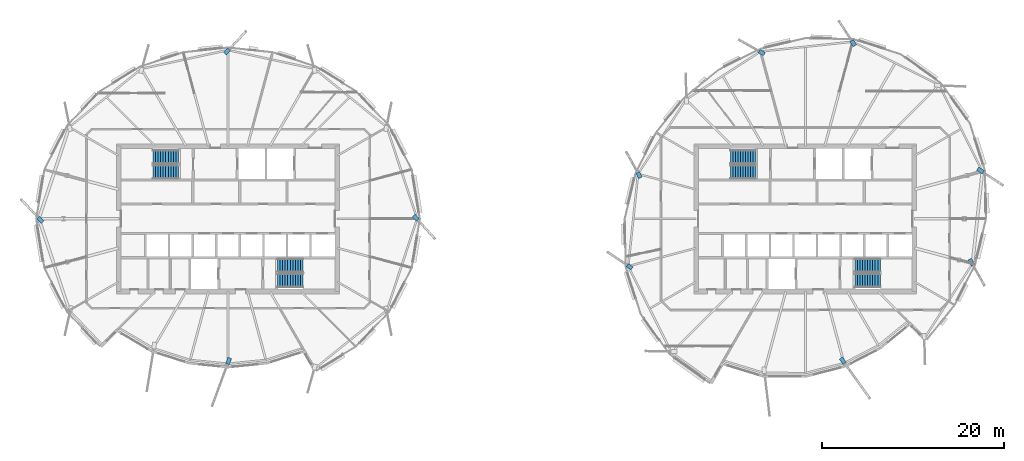
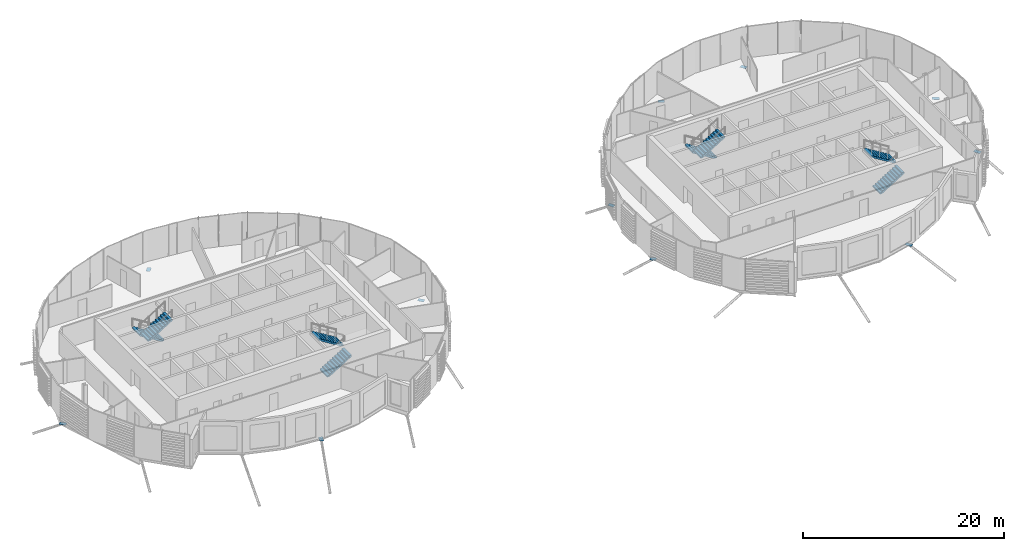
# One storey, part 26 of 41: 11 discrete accessories, 8 stair flights, 4 elements without a shape of their own.
"""IFC4 building model written with IfcOpenShell, lengths in metres."""

from ifc_helpers import new_model, si_unit, direction, frame, origin, origin_2d, place, context, subcontext, project, spatial, polyline, rectangle, outline, extrude, material, material_profile, profile_set, type_object, element, aggregate, save


model = new_model("IFC4")

# Units and contexts
model_context = context("Model", 3, precision=1e-05, world=origin(), true_north=direction((0.0, 1.0)))
body_context = subcontext(model_context, "Body", "Model", "MODEL_VIEW")
ifc_project = project(units=[si_unit("LENGTHUNIT", "METRE"), si_unit("AREAUNIT", "SQUARE_METRE"), si_unit("VOLUMEUNIT", "CUBIC_METRE"), si_unit("PLANEANGLEUNIT", "RADIAN"), si_unit("MASSUNIT", "GRAM", prefix="KILO")], contexts=[model_context])

# Site, building, storey
site_placement = place(None, origin())
site = spatial("IfcSite", under=ifc_project, at=site_placement, CompositionType="ELEMENT")
building_placement = place(site_placement, origin())
building = spatial("IfcBuilding", under=site, at=building_placement, Name="Rimbun Link Towers", CompositionType="ELEMENT")
storey_placement = place(building_placement, frame((0.0, 0.0, 214.300048828125)))
storey = spatial("IfcBuildingStorey", under=building, at=storey_placement, Name="L52", CompositionType="ELEMENT", Elevation=214.300048828125)

# Stair, stair flights
ifc_material_1 = material(Name="Concrete C40/50", Category="concrete")
stair_type = type_object("IfcStairType", Name="Exit stair 3800 rise", PredefinedType="HALF_TURN_STAIR", material=ifc_material_1)
stair_1_placement = place(storey_placement, origin())
stair_1 = element("IfcStair", 1, at=stair_1_placement, inside=storey, type_object=stair_type, Name="L52 EXIT STAIR A", PredefinedType="HALF_TURN_STAIR")
ifc_material_2 = material(Name="Concrete C40/50", Category="concrete")
stair_flight_type = type_object("IfcStairFlightType", Name="Exit stair flight 3800 rise", PredefinedType="STRAIGHT", material=ifc_material_2)
stair_flight_1_placement = place(storey_placement, frame((-37.199951171875, 6.800048828125, 0.0), z_axis=(0.0, 0.0, 1.0), x_axis=(-1.0, 0.0, 0.0)))
stair_flight_1 = element("IfcStairFlight", 2, at=stair_flight_1_placement, type_object=stair_flight_type, Name="ST1 flight 1", NumberOfRisers=11, NumberOfTreads=10, PredefinedType="STRAIGHT", RiserHeight=0.172727273, TreadLength=0.28, context=body_context, shape_type="SweptSolid", body=[
    extrude(outline(polyline([(0.0, 0.0), (0.0, 0.172607421875), (0.280029296875, 0.172607421875), (0.280029296875, 0.345458984375), (0.56005859375, 0.345458984375), (0.56005859375, 0.51806640625), (0.840087890625, 0.51806640625), (0.840087890625, 0.69091796875), (1.1201171875, 0.69091796875), (1.1201171875, 0.863525390625), (1.39990234375, 0.863525390625), (1.39990234375, 1.036376953125), (1.679931640625, 1.036376953125), (1.679931640625, 1.208984375), (1.9599609375, 1.208984375), (1.9599609375, 1.3818359375), (2.239990234375, 1.3818359375), (2.239990234375, 1.554443359375), (2.52001953125, 1.554443359375), (2.52001953125, 1.727294921875), (2.800048828125, 1.727294921875), (2.800048828125, 1.89990234375), (2.800048828125, 1.551025390625), (0.280029296875, 0.0), (0.0, 0.0)])), frame((0.0, 0.75, 0.0), z_axis=(0.0, -1.0, 0.0), x_axis=(1.0, 0.0, 0.0)), (0.0, 0.0, 1.0), 1.5),
])
stair_flight_2_placement = place(storey_placement, frame((-40.0, 5.14990234375, 1.89990234375), z_axis=(0.0, 0.0, 1.0), x_axis=(1.0, 0.0, 0.0)))
stair_flight_2 = element("IfcStairFlight", 3, at=stair_flight_2_placement, type_object=stair_flight_type, Name="ST1 flight 2", NumberOfRisers=11, NumberOfTreads=10, PredefinedType="STRAIGHT", RiserHeight=0.172727273, TreadLength=0.28, context=body_context, shape_type="SweptSolid", body=[
    extrude(outline(polyline([(0.0, 0.0), (0.0, 0.172607421875), (0.280029296875, 0.172607421875), (0.280029296875, 0.345458984375), (0.56005859375, 0.345458984375), (0.56005859375, 0.51806640625), (0.840087890625, 0.51806640625), (0.840087890625, 0.69091796875), (1.1201171875, 0.69091796875), (1.1201171875, 0.863525390625), (1.39990234375, 0.863525390625), (1.39990234375, 1.036376953125), (1.679931640625, 1.036376953125), (1.679931640625, 1.208984375), (1.9599609375, 1.208984375), (1.9599609375, 1.3818359375), (2.239990234375, 1.3818359375), (2.239990234375, 1.554443359375), (2.52001953125, 1.554443359375), (2.52001953125, 1.727294921875), (2.800048828125, 1.727294921875), (2.800048828125, 1.89990234375), (2.800048828125, 1.551025390625), (0.280029296875, 0.0), (0.0, 0.0)])), frame((0.0, 0.75, 0.0), z_axis=(0.0, -1.0, 0.0), x_axis=(1.0, 0.0, 0.0)), (0.0, 0.0, 1.0), 1.5),
])
aggregate(stair_1, [stair_flight_1, stair_flight_2])

stair_2_placement = place(storey_placement, origin())
stair_2 = element("IfcStair", 4, at=stair_2_placement, inside=storey, type_object=stair_type, Name="L52 EXIT STAIR B", PredefinedType="HALF_TURN_STAIR")
stair_flight_3_placement = place(storey_placement, frame((-26.300048828125, -6.800048828125, 0.0), z_axis=(0.0, 0.0, 1.0), x_axis=(1.0, 0.0, 0.0)))
stair_flight_3 = element("IfcStairFlight", 5, at=stair_flight_3_placement, type_object=stair_flight_type, Name="ST2 flight 1", NumberOfRisers=11, NumberOfTreads=10, PredefinedType="STRAIGHT", RiserHeight=0.172727273, TreadLength=0.28, context=body_context, shape_type="SweptSolid", body=[
    extrude(outline(polyline([(0.0, 0.0), (0.0, 0.172607421875), (0.280029296875, 0.172607421875), (0.280029296875, 0.345458984375), (0.56005859375, 0.345458984375), (0.56005859375, 0.51806640625), (0.840087890625, 0.51806640625), (0.840087890625, 0.69091796875), (1.1201171875, 0.69091796875), (1.1201171875, 0.863525390625), (1.39990234375, 0.863525390625), (1.39990234375, 1.036376953125), (1.679931640625, 1.036376953125), (1.679931640625, 1.208984375), (1.9599609375, 1.208984375), (1.9599609375, 1.3818359375), (2.239990234375, 1.3818359375), (2.239990234375, 1.554443359375), (2.52001953125, 1.554443359375), (2.52001953125, 1.727294921875), (2.800048828125, 1.727294921875), (2.800048828125, 1.89990234375), (2.800048828125, 1.551025390625), (0.280029296875, 0.0), (0.0, 0.0)])), frame((0.0, 0.75, 0.0), z_axis=(0.0, -1.0, 0.0), x_axis=(1.0, 0.0, 0.0)), (0.0, 0.0, 1.0), 1.5),
])
stair_flight_4_placement = place(storey_placement, frame((-23.5, -5.14990234375, 1.89990234375), z_axis=(0.0, 0.0, 1.0), x_axis=(-1.0, 0.0, 0.0)))
stair_flight_4 = element("IfcStairFlight", 6, at=stair_flight_4_placement, type_object=stair_flight_type, Name="ST2 flight 2", NumberOfRisers=11, NumberOfTreads=10, PredefinedType="STRAIGHT", RiserHeight=0.172727273, TreadLength=0.28, context=body_context, shape_type="SweptSolid", body=[
    extrude(outline(polyline([(0.0, 0.0), (0.0, 0.172607421875), (0.280029296875, 0.172607421875), (0.280029296875, 0.345458984375), (0.56005859375, 0.345458984375), (0.56005859375, 0.51806640625), (0.840087890625, 0.51806640625), (0.840087890625, 0.69091796875), (1.1201171875, 0.69091796875), (1.1201171875, 0.863525390625), (1.39990234375, 0.863525390625), (1.39990234375, 1.036376953125), (1.679931640625, 1.036376953125), (1.679931640625, 1.208984375), (1.9599609375, 1.208984375), (1.9599609375, 1.3818359375), (2.239990234375, 1.3818359375), (2.239990234375, 1.554443359375), (2.52001953125, 1.554443359375), (2.52001953125, 1.727294921875), (2.800048828125, 1.727294921875), (2.800048828125, 1.89990234375), (2.800048828125, 1.551025390625), (0.280029296875, 0.0), (0.0, 0.0)])), frame((0.0, 0.75, 0.0), z_axis=(0.0, -1.0, 0.0), x_axis=(1.0, 0.0, 0.0)), (0.0, 0.0, 1.0), 1.5),
])
aggregate(stair_2, [stair_flight_3, stair_flight_4])

stair_3_placement = place(storey_placement, origin())
stair_3 = element("IfcStair", 7, at=stair_3_placement, inside=storey, type_object=stair_type, Name="L52 EXIT STAIR A", PredefinedType="HALF_TURN_STAIR")
stair_flight_5_placement = place(storey_placement, frame((26.300048828125, 6.800048828125, 0.0), z_axis=(0.0, 0.0, 1.0), x_axis=(-1.0, 0.0, 0.0)))
stair_flight_5 = element("IfcStairFlight", 8, at=stair_flight_5_placement, type_object=stair_flight_type, Name="ST3 flight 1", NumberOfRisers=11, NumberOfTreads=10, PredefinedType="STRAIGHT", RiserHeight=0.172727273, TreadLength=0.28, context=body_context, shape_type="SweptSolid", body=[
    extrude(outline(polyline([(0.0, 0.0), (0.0, 0.172607421875), (0.280029296875, 0.172607421875), (0.280029296875, 0.345458984375), (0.56005859375, 0.345458984375), (0.56005859375, 0.51806640625), (0.840087890625, 0.51806640625), (0.840087890625, 0.69091796875), (1.1201171875, 0.69091796875), (1.1201171875, 0.863525390625), (1.39990234375, 0.863525390625), (1.39990234375, 1.036376953125), (1.679931640625, 1.036376953125), (1.679931640625, 1.208984375), (1.9599609375, 1.208984375), (1.9599609375, 1.3818359375), (2.239990234375, 1.3818359375), (2.239990234375, 1.554443359375), (2.52001953125, 1.554443359375), (2.52001953125, 1.727294921875), (2.800048828125, 1.727294921875), (2.800048828125, 1.89990234375), (2.800048828125, 1.551025390625), (0.280029296875, 0.0), (0.0, 0.0)])), frame((0.0, 0.75, 0.0), z_axis=(0.0, -1.0, 0.0), x_axis=(1.0, 0.0, 0.0)), (0.0, 0.0, 1.0), 1.5),
])
stair_flight_6_placement = place(storey_placement, frame((23.5, 5.14990234375, 1.89990234375), z_axis=(0.0, 0.0, 1.0), x_axis=(1.0, 0.0, 0.0)))
stair_flight_6 = element("IfcStairFlight", 9, at=stair_flight_6_placement, type_object=stair_flight_type, Name="ST3 flight 2", NumberOfRisers=11, NumberOfTreads=10, PredefinedType="STRAIGHT", RiserHeight=0.172727273, TreadLength=0.28, context=body_context, shape_type="SweptSolid", body=[
    extrude(outline(polyline([(0.0, 0.0), (0.0, 0.172607421875), (0.280029296875, 0.172607421875), (0.280029296875, 0.345458984375), (0.56005859375, 0.345458984375), (0.56005859375, 0.51806640625), (0.840087890625, 0.51806640625), (0.840087890625, 0.69091796875), (1.1201171875, 0.69091796875), (1.1201171875, 0.863525390625), (1.39990234375, 0.863525390625), (1.39990234375, 1.036376953125), (1.679931640625, 1.036376953125), (1.679931640625, 1.208984375), (1.9599609375, 1.208984375), (1.9599609375, 1.3818359375), (2.239990234375, 1.3818359375), (2.239990234375, 1.554443359375), (2.52001953125, 1.554443359375), (2.52001953125, 1.727294921875), (2.800048828125, 1.727294921875), (2.800048828125, 1.89990234375), (2.800048828125, 1.551025390625), (0.280029296875, 0.0), (0.0, 0.0)])), frame((0.0, 0.75, 0.0), z_axis=(0.0, -1.0, 0.0), x_axis=(1.0, 0.0, 0.0)), (0.0, 0.0, 1.0), 1.5),
])
aggregate(stair_3, [stair_flight_5, stair_flight_6])

stair_4_placement = place(storey_placement, origin())
stair_4 = element("IfcStair", 10, at=stair_4_placement, inside=storey, type_object=stair_type, Name="L52 EXIT STAIR B", PredefinedType="HALF_TURN_STAIR")
stair_flight_7_placement = place(storey_placement, frame((37.199951171875, -6.800048828125, 0.0), z_axis=(0.0, 0.0, 1.0), x_axis=(1.0, 0.0, 0.0)))
stair_flight_7 = element("IfcStairFlight", 11, at=stair_flight_7_placement, type_object=stair_flight_type, Name="ST4 flight 1", NumberOfRisers=11, NumberOfTreads=10, PredefinedType="STRAIGHT", RiserHeight=0.172727273, TreadLength=0.28, context=body_context, shape_type="SweptSolid", body=[
    extrude(outline(polyline([(0.0, 0.0), (0.0, 0.172607421875), (0.280029296875, 0.172607421875), (0.280029296875, 0.345458984375), (0.56005859375, 0.345458984375), (0.56005859375, 0.51806640625), (0.840087890625, 0.51806640625), (0.840087890625, 0.69091796875), (1.1201171875, 0.69091796875), (1.1201171875, 0.863525390625), (1.39990234375, 0.863525390625), (1.39990234375, 1.036376953125), (1.679931640625, 1.036376953125), (1.679931640625, 1.208984375), (1.9599609375, 1.208984375), (1.9599609375, 1.3818359375), (2.239990234375, 1.3818359375), (2.239990234375, 1.554443359375), (2.52001953125, 1.554443359375), (2.52001953125, 1.727294921875), (2.800048828125, 1.727294921875), (2.800048828125, 1.89990234375), (2.800048828125, 1.551025390625), (0.280029296875, 0.0), (0.0, 0.0)])), frame((0.0, 0.75, 0.0), z_axis=(0.0, -1.0, 0.0), x_axis=(1.0, 0.0, 0.0)), (0.0, 0.0, 1.0), 1.5),
])
stair_flight_8_placement = place(storey_placement, frame((40.0, -5.14990234375, 1.89990234375), z_axis=(0.0, 0.0, 1.0), x_axis=(-1.0, 0.0, 0.0)))
stair_flight_8 = element("IfcStairFlight", 12, at=stair_flight_8_placement, type_object=stair_flight_type, Name="ST4 flight 2", NumberOfRisers=11, NumberOfTreads=10, PredefinedType="STRAIGHT", RiserHeight=0.172727273, TreadLength=0.28, context=body_context, shape_type="SweptSolid", body=[
    extrude(outline(polyline([(0.0, 0.0), (0.0, 0.172607421875), (0.280029296875, 0.172607421875), (0.280029296875, 0.345458984375), (0.56005859375, 0.345458984375), (0.56005859375, 0.51806640625), (0.840087890625, 0.51806640625), (0.840087890625, 0.69091796875), (1.1201171875, 0.69091796875), (1.1201171875, 0.863525390625), (1.39990234375, 0.863525390625), (1.39990234375, 1.036376953125), (1.679931640625, 1.036376953125), (1.679931640625, 1.208984375), (1.9599609375, 1.208984375), (1.9599609375, 1.3818359375), (2.239990234375, 1.3818359375), (2.239990234375, 1.554443359375), (2.52001953125, 1.554443359375), (2.52001953125, 1.727294921875), (2.800048828125, 1.727294921875), (2.800048828125, 1.89990234375), (2.800048828125, 1.551025390625), (0.280029296875, 0.0), (0.0, 0.0)])), frame((0.0, 0.75, 0.0), z_axis=(0.0, -1.0, 0.0), x_axis=(1.0, 0.0, 0.0)), (0.0, 0.0, 1.0), 1.5),
])
aggregate(stair_4, [stair_flight_7, stair_flight_8])

# Discrete accessories
ifc_material_3 = material(Name="Steel S355J2H", Category="steel")
ifc_material_profile = material_profile(ifc_material_3, rectangle(XDim=0.43310546875, YDim=0.43310546875, at=origin_2d()), Name="PL 433x433")
ifc_profile_set = profile_set([ifc_material_profile], Name="Steel S355J2H")
discrete_accessory_type = type_object("IfcDiscreteAccessoryType", Name="Link head end plate 433X20", PredefinedType="BRACKET", material=ifc_profile_set)
discrete_accessory_1_placement = place(storey_placement, frame((0.0, 0.0, -0.613525390625)))
element("IfcDiscreteAccessory", 13, at=discrete_accessory_1_placement, inside=storey, type_object=discrete_accessory_type, Name="Link head end plate T1 L52 00", PredefinedType="BRACKET", context=body_context, shape_type="SweptSolid", body=[
    extrude(outline(polyline([(-11.477783203125, 0.2119140625), (-11.029296875, -0.2822265625), (-10.708740234375, 0.0087890625), (-11.1572265625, 0.5029296875), (-11.477783203125, 0.2119140625)])), origin(), (0.0, 0.0, 1.0), 0.02001953125),
])
discrete_accessory_2_placement = place(storey_placement, frame((0.0, 0.0, -0.693115234375)))
element("IfcDiscreteAccessory", 14, at=discrete_accessory_2_placement, inside=storey, type_object=discrete_accessory_type, Name="Link head end plate T1 L52 06", PredefinedType="BRACKET", context=body_context, shape_type="SweptSolid", body=[
    extrude(outline(polyline([(-31.923828125, 18.0009765625), (-31.4658203125, 18.48876953125), (-31.781494140625, 18.784912109375), (-32.239501953125, 18.29736328125), (-31.923828125, 18.0009765625)])), origin(), (0.0, 0.0, 1.0), 0.02001953125),
])
discrete_accessory_3_placement = place(storey_placement, frame((0.0, 0.0, -1.000732421875)))
element("IfcDiscreteAccessory", 15, at=discrete_accessory_3_placement, inside=storey, type_object=discrete_accessory_type, Name="Link head end plate T1 L52 12", PredefinedType="BRACKET", context=body_context, shape_type="SweptSolid", body=[
    extrude(outline(polyline([(-51.994140625, -0.229248046875), (-52.474365234375, 0.281494140625), (-52.789794921875, -0.014892578125), (-52.3095703125, -0.52587890625), (-51.994140625, -0.229248046875)])), origin(), (0.0, 0.0, 1.0), 0.02001953125),
])
discrete_accessory_4_placement = place(storey_placement, frame((0.0, 0.0, -0.693115234375)))
element("IfcDiscreteAccessory", 16, at=discrete_accessory_4_placement, inside=storey, type_object=discrete_accessory_type, Name="Link head end plate T1 L52 18", PredefinedType="BRACKET", context=body_context, shape_type="SweptSolid", body=[
    extrude(outline(polyline([(-31.76708984375, -15.231689453125), (-32.015625, -15.907470703125), (-31.609130859375, -16.056884765625), (-31.360595703125, -15.381103515625), (-31.76708984375, -15.231689453125)])), origin(), (0.0, 0.0, 1.0), 0.02001953125),
])
discrete_accessory_5_placement = place(storey_placement, frame((0.0, 0.0, -0.7626953125)))
element("IfcDiscreteAccessory", 17, at=discrete_accessory_5_placement, inside=storey, type_object=discrete_accessory_type, Name="Link head end plate T2 L52 02", PredefinedType="BRACKET", context=body_context, shape_type="SweptSolid", body=[
    extrude(outline(polyline([(37.395263671875, 19.148681640625), (37.036376953125, 19.701416015625), (36.67333984375, 19.465576171875), (37.031982421875, 18.9130859375), (37.395263671875, 19.148681640625)])), origin(), (0.0, 0.0, 1.0), 0.02001953125),
])
discrete_accessory_6_placement = place(storey_placement, frame((0.0, 0.0, -0.7626953125)))
element("IfcDiscreteAccessory", 18, at=discrete_accessory_6_placement, inside=storey, type_object=discrete_accessory_type, Name="Link head end plate T2 L52 04", PredefinedType="BRACKET", context=body_context, shape_type="SweptSolid", body=[
    extrude(outline(polyline([(27.3525390625, 18.302001953125), (26.779296875, 18.62646484375), (26.566162109375, 18.24951171875), (27.139404296875, 17.92529296875), (27.3525390625, 18.302001953125)])), origin(), (0.0, 0.0, 1.0), 0.02001953125),
])
discrete_accessory_7_placement = place(storey_placement, frame((0.0, 0.0, -0.51513671875)))
element("IfcDiscreteAccessory", 19, at=discrete_accessory_7_placement, inside=storey, type_object=discrete_accessory_type, Name="Link head end plate T2 L52 08", PredefinedType="BRACKET", context=body_context, shape_type="SweptSolid", body=[
    extrude(outline(polyline([(13.811767578125, 4.623046875), (13.502685546875, 5.183837890625), (13.12353515625, 4.974853515625), (13.4326171875, 4.414306640625), (13.811767578125, 4.623046875)])), origin(), (0.0, 0.0, 1.0), 0.02001953125),
])
discrete_accessory_8_placement = place(storey_placement, frame((0.0, 0.0, -0.56640625)))
element("IfcDiscreteAccessory", 20, at=discrete_accessory_8_placement, inside=storey, type_object=discrete_accessory_type, Name="Link head end plate T2 L52 10", PredefinedType="BRACKET", context=body_context, shape_type="SweptSolid", body=[
    extrude(outline(polyline([(12.8232421875, -5.2783203125), (12.286376953125, -4.92236328125), (12.047119140625, -5.283203125), (12.583984375, -5.63916015625), (12.8232421875, -5.2783203125)])), origin(), (0.0, 0.0, 1.0), 0.02001953125),
])
discrete_accessory_9_placement = place(storey_placement, frame((0.0, 0.0, -0.7626953125)))
element("IfcDiscreteAccessory", 21, at=discrete_accessory_9_placement, inside=storey, type_object=discrete_accessory_type, Name="Link head end plate T2 L52 16", PredefinedType="BRACKET", context=body_context, shape_type="SweptSolid", body=[
    extrude(outline(polyline([(35.483642578125, -15.44189453125), (35.8994140625, -16.02099609375), (36.251220703125, -15.768310546875), (35.835205078125, -15.189453125), (35.483642578125, -15.44189453125)])), origin(), (0.0, 0.0, 1.0), 0.02001953125),
])
discrete_accessory_10_placement = place(storey_placement, frame((0.0, 0.0, -1.000732421875)))
element("IfcDiscreteAccessory", 22, at=discrete_accessory_10_placement, inside=storey, type_object=discrete_accessory_type, Name="Link head end plate T2 L52 20", PredefinedType="BRACKET", context=body_context, shape_type="SweptSolid", body=[
    extrude(outline(polyline([(49.64111328125, -4.541748046875), (49.99609375, -5.180419921875), (50.37451171875, -4.969970703125), (50.019287109375, -4.331298828125), (49.64111328125, -4.541748046875)])), origin(), (0.0, 0.0, 1.0), 0.02001953125),
])
discrete_accessory_11_placement = place(storey_placement, frame((0.0, 0.0, -1.000732421875)))
element("IfcDiscreteAccessory", 23, at=discrete_accessory_11_placement, inside=storey, type_object=discrete_accessory_type, Name="Link head end plate T2 L52 22", PredefinedType="BRACKET", context=body_context, shape_type="SweptSolid", body=[
    extrude(outline(polyline([(50.6005859375, 5.32763671875), (51.210693359375, 4.9248046875), (51.44921875, 5.285888671875), (50.83935546875, 5.68896484375), (50.6005859375, 5.32763671875)])), origin(), (0.0, 0.0, 1.0), 0.02001953125),
])

save(model, "model.ifc")
